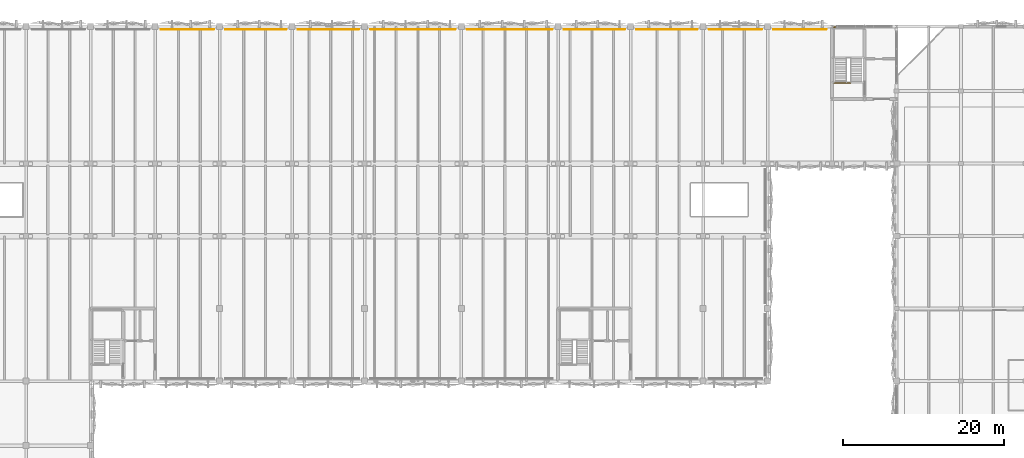
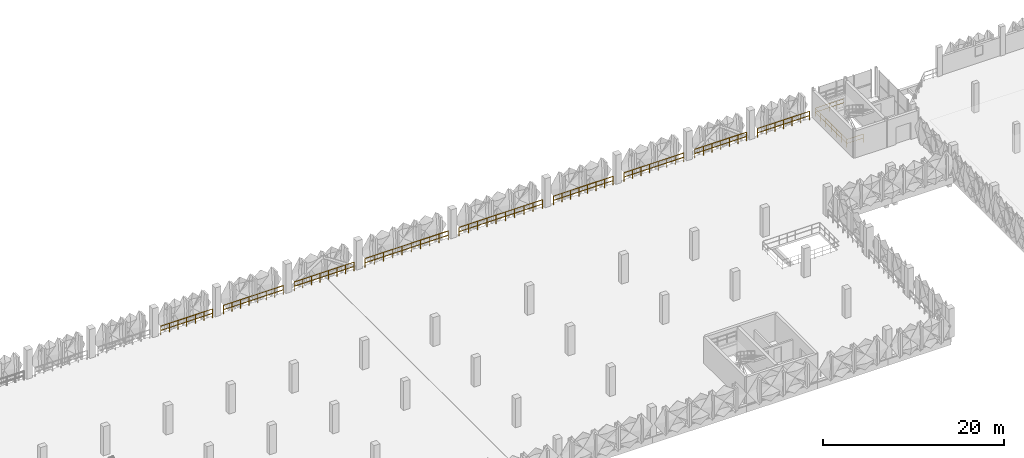
# One storey, part 82 of 83: 10 railings.
"""IFC4 building model written with IfcOpenShell, lengths in metres."""

from ifc_helpers import new_model, si_unit, derived_unit, direction, frame, origin, origin_2d, place, context, subcontext, project, spatial, circle, extrude, material, type_object, element, save


model = new_model("IFC4")

# Units and contexts
model_context = context("Model", 3, precision=1e-05, world=origin(), true_north=direction((0.0, 1.0)))
body_context = subcontext(model_context, "Body", "Model", "MODEL_VIEW")
ifc_project = project(units=[si_unit("LENGTHUNIT", "METRE"), si_unit("AREAUNIT", "SQUARE_METRE"), si_unit("VOLUMEUNIT", "CUBIC_METRE"), si_unit("PLANEANGLEUNIT", "RADIAN"), si_unit("MASSUNIT", "GRAM", prefix="KILO"), si_unit("THERMODYNAMICTEMPERATUREUNIT", "KELVIN"), derived_unit("THERMALTRANSMITTANCEUNIT", [(si_unit("POWERUNIT", "WATT"), 1), (si_unit("AREAUNIT", "SQUARE_METRE"), -1), (si_unit("THERMODYNAMICTEMPERATUREUNIT", "KELVIN"), -1)])], contexts=[model_context])

# Site, building, storey
site_placement = place(None, origin())
site = spatial("IfcSite", under=ifc_project, at=site_placement, CompositionType="ELEMENT")
building_placement = place(site_placement, origin())
building = spatial("IfcBuilding", under=site, at=building_placement, Name="Haiyu Intermodal Mobility Hub", CompositionType="ELEMENT")
storey_placement = place(building_placement, frame((0.0, 0.0, 13.39990234375)))
storey = spatial("IfcBuildingStorey", under=building, at=storey_placement, Name="L03", CompositionType="ELEMENT", Elevation=13.39990234375)

# Railings
ifc_material = material(Name="Steel Q355C", Category="steel")
railing_type_1 = type_object("IfcRailingType", Name="RAL-GR01", PredefinedType="GUARDRAIL", material=ifc_material)
railing_1_placement = place(storey_placement, frame((77.300048828125, 147.659912109375, 0.0)))
element("IfcRailing", 1, at=railing_1_placement, inside=storey, type_object=railing_type_1, Name="RAL-CAR-N-0038", PredefinedType="GUARDRAIL", context=body_context, shape_type="SweptSolid", body=[
    extrude(circle(Radius=0.02392578125, at=origin_2d()), frame((-0.030029296875, 0.0, 1.17578125), z_axis=(-1.0, 0.0, 0.0), x_axis=(0.0, -1.0, 0.0)), (0.0, 0.0, 1.0), 6.5400390625),
    extrude(circle(Radius=0.02392578125, at=origin_2d()), frame((-0.037353515625, 0.0, 0.60009765625), z_axis=(-1.0, 0.0, 0.0), x_axis=(0.0, -1.0, 0.0)), (0.0, 0.0, 1.0), 1.025390625),
    extrude(circle(Radius=0.02392578125, at=origin_2d()), frame((-1.13720703125, 0.0, 0.60009765625), z_axis=(-1.0, 0.0, 0.0), x_axis=(0.0, -1.0, 0.0)), (0.0, 0.0, 1.0), 1.025390625),
    extrude(circle(Radius=0.02392578125, at=origin_2d()), frame((-2.2373046875, 0.0, 0.60009765625), z_axis=(-1.0, 0.0, 0.0), x_axis=(0.0, -1.0, 0.0)), (0.0, 0.0, 1.0), 1.025390625),
    extrude(circle(Radius=0.02392578125, at=origin_2d()), frame((-3.33740234375, 0.0, 0.60009765625), z_axis=(-1.0, 0.0, 0.0), x_axis=(0.0, -1.0, 0.0)), (0.0, 0.0, 1.0), 1.025390625),
    extrude(circle(Radius=0.02392578125, at=origin_2d()), frame((-4.437255859375, 0.0, 0.60009765625), z_axis=(-1.0, 0.0, 0.0), x_axis=(0.0, -1.0, 0.0)), (0.0, 0.0, 1.0), 1.025390625),
    extrude(circle(Radius=0.02392578125, at=origin_2d()), frame((-5.537353515625, 0.0, 0.60009765625), z_axis=(-1.0, 0.0, 0.0), x_axis=(0.0, -1.0, 0.0)), (0.0, 0.0, 1.0), 1.025390625),
    extrude(circle(Radius=0.02099609375, at=origin_2d()), origin(), (0.0, 0.0, 1.0), 1.143798828125),
    extrude(circle(Radius=0.02099609375, at=origin_2d()), frame((-1.10009765625, 0.0, 0.0)), (0.0, 0.0, 1.0), 1.143798828125),
    extrude(circle(Radius=0.02099609375, at=origin_2d()), frame((-2.199951171875, 0.0, 0.0)), (0.0, 0.0, 1.0), 1.143798828125),
    extrude(circle(Radius=0.02099609375, at=origin_2d()), frame((-3.300048828125, 0.0, 0.0)), (0.0, 0.0, 1.0), 1.143798828125),
    extrude(circle(Radius=0.02099609375, at=origin_2d()), frame((-4.400146484375, 0.0, 0.0)), (0.0, 0.0, 1.0), 1.143798828125),
    extrude(circle(Radius=0.02099609375, at=origin_2d()), frame((-5.5, 0.0, 0.0)), (0.0, 0.0, 1.0), 1.143798828125),
    extrude(circle(Radius=0.02099609375, at=origin_2d()), frame((-6.60009765625, 0.0, 0.0)), (0.0, 0.0, 1.0), 1.143798828125),
])
railing_2_placement = place(storey_placement, frame((86.300048828125, 147.659912109375, 0.0)))
element("IfcRailing", 2, at=railing_2_placement, inside=storey, type_object=railing_type_1, Name="RAL-CAR-N-0043", PredefinedType="GUARDRAIL", context=body_context, shape_type="SweptSolid", body=[
    extrude(circle(Radius=0.02392578125, at=origin_2d()), frame((-0.030029296875, 0.0, 1.17578125), z_axis=(-1.0, 0.0, 0.0), x_axis=(0.0, -1.0, 0.0)), (0.0, 0.0, 1.0), 7.5400390625),
    extrude(circle(Radius=0.02392578125, at=origin_2d()), frame((-0.037353515625, 0.0, 0.60009765625), z_axis=(-1.0, 0.0, 0.0), x_axis=(0.0, -1.0, 0.0)), (0.0, 0.0, 1.0), 1.01123046875),
    extrude(circle(Radius=0.02392578125, at=origin_2d()), frame((-1.123046875, 0.0, 0.60009765625), z_axis=(-1.0, 0.0, 0.0), x_axis=(0.0, -1.0, 0.0)), (0.0, 0.0, 1.0), 1.01123046875),
    extrude(circle(Radius=0.02392578125, at=origin_2d()), frame((-2.208740234375, 0.0, 0.60009765625), z_axis=(-1.0, 0.0, 0.0), x_axis=(0.0, -1.0, 0.0)), (0.0, 0.0, 1.0), 1.01123046875),
    extrude(circle(Radius=0.02392578125, at=origin_2d()), frame((-3.29443359375, 0.0, 0.60009765625), z_axis=(-1.0, 0.0, 0.0), x_axis=(0.0, -1.0, 0.0)), (0.0, 0.0, 1.0), 1.01123046875),
    extrude(circle(Radius=0.02392578125, at=origin_2d()), frame((-4.380126953125, 0.0, 0.60009765625), z_axis=(-1.0, 0.0, 0.0), x_axis=(0.0, -1.0, 0.0)), (0.0, 0.0, 1.0), 1.01123046875),
    extrude(circle(Radius=0.02392578125, at=origin_2d()), frame((-5.4658203125, 0.0, 0.60009765625), z_axis=(-1.0, 0.0, 0.0), x_axis=(0.0, -1.0, 0.0)), (0.0, 0.0, 1.0), 1.01123046875),
    extrude(circle(Radius=0.02392578125, at=origin_2d()), frame((-6.5517578125, 0.0, 0.60009765625), z_axis=(-1.0, 0.0, 0.0), x_axis=(0.0, -1.0, 0.0)), (0.0, 0.0, 1.0), 1.01123046875),
    extrude(circle(Radius=0.02099609375, at=origin_2d()), origin(), (0.0, 0.0, 1.0), 1.143798828125),
    extrude(circle(Radius=0.02099609375, at=origin_2d()), frame((-1.085693359375, 0.0, 0.0)), (0.0, 0.0, 1.0), 1.143798828125),
    extrude(circle(Radius=0.02099609375, at=origin_2d()), frame((-2.17138671875, 0.0, 0.0)), (0.0, 0.0, 1.0), 1.143798828125),
    extrude(circle(Radius=0.02099609375, at=origin_2d()), frame((-3.257080078125, 0.0, 0.0)), (0.0, 0.0, 1.0), 1.143798828125),
    extrude(circle(Radius=0.02099609375, at=origin_2d()), frame((-4.343017578125, 0.0, 0.0)), (0.0, 0.0, 1.0), 1.143798828125),
    extrude(circle(Radius=0.02099609375, at=origin_2d()), frame((-5.4287109375, 0.0, 0.0)), (0.0, 0.0, 1.0), 1.143798828125),
    extrude(circle(Radius=0.02099609375, at=origin_2d()), frame((-6.514404296875, 0.0, 0.0)), (0.0, 0.0, 1.0), 1.143798828125),
    extrude(circle(Radius=0.02099609375, at=origin_2d()), frame((-7.60009765625, 0.0, 0.0)), (0.0, 0.0, 1.0), 1.143798828125),
])
railing_3_placement = place(storey_placement, frame((95.300048828125, 147.659912109375, 0.0)))
element("IfcRailing", 3, at=railing_3_placement, inside=storey, type_object=railing_type_1, Name="RAL-CAR-N-0048", PredefinedType="GUARDRAIL", context=body_context, shape_type="SweptSolid", body=[
    extrude(circle(Radius=0.02392578125, at=origin_2d()), frame((-0.030029296875, 0.0, 1.17578125), z_axis=(-1.0, 0.0, 0.0), x_axis=(0.0, -1.0, 0.0)), (0.0, 0.0, 1.0), 7.5400390625),
    extrude(circle(Radius=0.02392578125, at=origin_2d()), frame((-0.037353515625, 0.0, 0.60009765625), z_axis=(-1.0, 0.0, 0.0), x_axis=(0.0, -1.0, 0.0)), (0.0, 0.0, 1.0), 1.01123046875),
    extrude(circle(Radius=0.02392578125, at=origin_2d()), frame((-1.123046875, 0.0, 0.60009765625), z_axis=(-1.0, 0.0, 0.0), x_axis=(0.0, -1.0, 0.0)), (0.0, 0.0, 1.0), 1.01123046875),
    extrude(circle(Radius=0.02392578125, at=origin_2d()), frame((-2.208740234375, 0.0, 0.60009765625), z_axis=(-1.0, 0.0, 0.0), x_axis=(0.0, -1.0, 0.0)), (0.0, 0.0, 1.0), 1.01123046875),
    extrude(circle(Radius=0.02392578125, at=origin_2d()), frame((-3.29443359375, 0.0, 0.60009765625), z_axis=(-1.0, 0.0, 0.0), x_axis=(0.0, -1.0, 0.0)), (0.0, 0.0, 1.0), 1.01123046875),
    extrude(circle(Radius=0.02392578125, at=origin_2d()), frame((-4.380126953125, 0.0, 0.60009765625), z_axis=(-1.0, 0.0, 0.0), x_axis=(0.0, -1.0, 0.0)), (0.0, 0.0, 1.0), 1.01123046875),
    extrude(circle(Radius=0.02392578125, at=origin_2d()), frame((-5.4658203125, 0.0, 0.60009765625), z_axis=(-1.0, 0.0, 0.0), x_axis=(0.0, -1.0, 0.0)), (0.0, 0.0, 1.0), 1.01123046875),
    extrude(circle(Radius=0.02392578125, at=origin_2d()), frame((-6.5517578125, 0.0, 0.60009765625), z_axis=(-1.0, 0.0, 0.0), x_axis=(0.0, -1.0, 0.0)), (0.0, 0.0, 1.0), 1.01123046875),
    extrude(circle(Radius=0.02099609375, at=origin_2d()), origin(), (0.0, 0.0, 1.0), 1.143798828125),
    extrude(circle(Radius=0.02099609375, at=origin_2d()), frame((-1.085693359375, 0.0, 0.0)), (0.0, 0.0, 1.0), 1.143798828125),
    extrude(circle(Radius=0.02099609375, at=origin_2d()), frame((-2.17138671875, 0.0, 0.0)), (0.0, 0.0, 1.0), 1.143798828125),
    extrude(circle(Radius=0.02099609375, at=origin_2d()), frame((-3.257080078125, 0.0, 0.0)), (0.0, 0.0, 1.0), 1.143798828125),
    extrude(circle(Radius=0.02099609375, at=origin_2d()), frame((-4.343017578125, 0.0, 0.0)), (0.0, 0.0, 1.0), 1.143798828125),
    extrude(circle(Radius=0.02099609375, at=origin_2d()), frame((-5.4287109375, 0.0, 0.0)), (0.0, 0.0, 1.0), 1.143798828125),
    extrude(circle(Radius=0.02099609375, at=origin_2d()), frame((-6.514404296875, 0.0, 0.0)), (0.0, 0.0, 1.0), 1.143798828125),
    extrude(circle(Radius=0.02099609375, at=origin_2d()), frame((-7.60009765625, 0.0, 0.0)), (0.0, 0.0, 1.0), 1.143798828125),
])
railing_4_placement = place(storey_placement, frame((107.300048828125, 147.659912109375, 0.0)))
element("IfcRailing", 4, at=railing_4_placement, inside=storey, type_object=railing_type_1, Name="RAL-CAR-N-0053", PredefinedType="GUARDRAIL", context=body_context, shape_type="SweptSolid", body=[
    extrude(circle(Radius=0.02392578125, at=origin_2d()), frame((-0.030029296875, 0.0, 1.17578125), z_axis=(-1.0, 0.0, 0.0), x_axis=(0.0, -1.0, 0.0)), (0.0, 0.0, 1.0), 10.5400390625),
    extrude(circle(Radius=0.02392578125, at=origin_2d()), frame((-0.037353515625, 0.0, 0.60009765625), z_axis=(-1.0, 0.0, 0.0), x_axis=(0.0, -1.0, 0.0)), (0.0, 0.0, 1.0), 1.103271484375),
    extrude(circle(Radius=0.02392578125, at=origin_2d()), frame((-1.215087890625, 0.0, 0.60009765625), z_axis=(-1.0, 0.0, 0.0), x_axis=(0.0, -1.0, 0.0)), (0.0, 0.0, 1.0), 1.103271484375),
    extrude(circle(Radius=0.02392578125, at=origin_2d()), frame((-2.392822265625, 0.0, 0.60009765625), z_axis=(-1.0, 0.0, 0.0), x_axis=(0.0, -1.0, 0.0)), (0.0, 0.0, 1.0), 1.103271484375),
    extrude(circle(Radius=0.02392578125, at=origin_2d()), frame((-3.570556640625, 0.0, 0.60009765625), z_axis=(-1.0, 0.0, 0.0), x_axis=(0.0, -1.0, 0.0)), (0.0, 0.0, 1.0), 1.103271484375),
    extrude(circle(Radius=0.02392578125, at=origin_2d()), frame((-4.74853515625, 0.0, 0.60009765625), z_axis=(-1.0, 0.0, 0.0), x_axis=(0.0, -1.0, 0.0)), (0.0, 0.0, 1.0), 1.103271484375),
    extrude(circle(Radius=0.02392578125, at=origin_2d()), frame((-5.92626953125, 0.0, 0.60009765625), z_axis=(-1.0, 0.0, 0.0), x_axis=(0.0, -1.0, 0.0)), (0.0, 0.0, 1.0), 1.103271484375),
    extrude(circle(Radius=0.02392578125, at=origin_2d()), frame((-7.10400390625, 0.0, 0.60009765625), z_axis=(-1.0, 0.0, 0.0), x_axis=(0.0, -1.0, 0.0)), (0.0, 0.0, 1.0), 1.103271484375),
    extrude(circle(Radius=0.02392578125, at=origin_2d()), frame((-8.28173828125, 0.0, 0.60009765625), z_axis=(-1.0, 0.0, 0.0), x_axis=(0.0, -1.0, 0.0)), (0.0, 0.0, 1.0), 1.103271484375),
    extrude(circle(Radius=0.02392578125, at=origin_2d()), frame((-9.459716796875, 0.0, 0.60009765625), z_axis=(-1.0, 0.0, 0.0), x_axis=(0.0, -1.0, 0.0)), (0.0, 0.0, 1.0), 1.103271484375),
    extrude(circle(Radius=0.02099609375, at=origin_2d()), origin(), (0.0, 0.0, 1.0), 1.143798828125),
    extrude(circle(Radius=0.02099609375, at=origin_2d()), frame((-1.177734375, 0.0, 0.0)), (0.0, 0.0, 1.0), 1.143798828125),
    extrude(circle(Radius=0.02099609375, at=origin_2d()), frame((-2.35546875, 0.0, 0.0)), (0.0, 0.0, 1.0), 1.143798828125),
    extrude(circle(Radius=0.02099609375, at=origin_2d()), frame((-3.533447265625, 0.0, 0.0)), (0.0, 0.0, 1.0), 1.143798828125),
    extrude(circle(Radius=0.02099609375, at=origin_2d()), frame((-4.711181640625, 0.0, 0.0)), (0.0, 0.0, 1.0), 1.143798828125),
    extrude(circle(Radius=0.02099609375, at=origin_2d()), frame((-5.888916015625, 0.0, 0.0)), (0.0, 0.0, 1.0), 1.143798828125),
    extrude(circle(Radius=0.02099609375, at=origin_2d()), frame((-7.066650390625, 0.0, 0.0)), (0.0, 0.0, 1.0), 1.143798828125),
    extrude(circle(Radius=0.02099609375, at=origin_2d()), frame((-8.24462890625, 0.0, 0.0)), (0.0, 0.0, 1.0), 1.143798828125),
    extrude(circle(Radius=0.02099609375, at=origin_2d()), frame((-9.42236328125, 0.0, 0.0)), (0.0, 0.0, 1.0), 1.143798828125),
    extrude(circle(Radius=0.02099609375, at=origin_2d()), frame((-10.60009765625, 0.0, 0.0)), (0.0, 0.0, 1.0), 1.143798828125),
])
railing_5_placement = place(storey_placement, frame((119.300048828125, 147.659912109375, 0.0)))
element("IfcRailing", 5, at=railing_5_placement, inside=storey, type_object=railing_type_1, Name="RAL-CAR-N-0058", PredefinedType="GUARDRAIL", context=body_context, shape_type="SweptSolid", body=[
    extrude(circle(Radius=0.02392578125, at=origin_2d()), frame((-0.030029296875, 0.0, 1.17578125), z_axis=(-1.0, 0.0, 0.0), x_axis=(0.0, -1.0, 0.0)), (0.0, 0.0, 1.0), 10.5400390625),
    extrude(circle(Radius=0.02392578125, at=origin_2d()), frame((-0.037353515625, 0.0, 0.60009765625), z_axis=(-1.0, 0.0, 0.0), x_axis=(0.0, -1.0, 0.0)), (0.0, 0.0, 1.0), 1.103271484375),
    extrude(circle(Radius=0.02392578125, at=origin_2d()), frame((-1.215087890625, 0.0, 0.60009765625), z_axis=(-1.0, 0.0, 0.0), x_axis=(0.0, -1.0, 0.0)), (0.0, 0.0, 1.0), 1.103271484375),
    extrude(circle(Radius=0.02392578125, at=origin_2d()), frame((-2.392822265625, 0.0, 0.60009765625), z_axis=(-1.0, 0.0, 0.0), x_axis=(0.0, -1.0, 0.0)), (0.0, 0.0, 1.0), 1.103271484375),
    extrude(circle(Radius=0.02392578125, at=origin_2d()), frame((-3.570556640625, 0.0, 0.60009765625), z_axis=(-1.0, 0.0, 0.0), x_axis=(0.0, -1.0, 0.0)), (0.0, 0.0, 1.0), 1.103271484375),
    extrude(circle(Radius=0.02392578125, at=origin_2d()), frame((-4.74853515625, 0.0, 0.60009765625), z_axis=(-1.0, 0.0, 0.0), x_axis=(0.0, -1.0, 0.0)), (0.0, 0.0, 1.0), 1.103271484375),
    extrude(circle(Radius=0.02392578125, at=origin_2d()), frame((-5.92626953125, 0.0, 0.60009765625), z_axis=(-1.0, 0.0, 0.0), x_axis=(0.0, -1.0, 0.0)), (0.0, 0.0, 1.0), 1.103271484375),
    extrude(circle(Radius=0.02392578125, at=origin_2d()), frame((-7.10400390625, 0.0, 0.60009765625), z_axis=(-1.0, 0.0, 0.0), x_axis=(0.0, -1.0, 0.0)), (0.0, 0.0, 1.0), 1.103271484375),
    extrude(circle(Radius=0.02392578125, at=origin_2d()), frame((-8.28173828125, 0.0, 0.60009765625), z_axis=(-1.0, 0.0, 0.0), x_axis=(0.0, -1.0, 0.0)), (0.0, 0.0, 1.0), 1.103271484375),
    extrude(circle(Radius=0.02392578125, at=origin_2d()), frame((-9.459716796875, 0.0, 0.60009765625), z_axis=(-1.0, 0.0, 0.0), x_axis=(0.0, -1.0, 0.0)), (0.0, 0.0, 1.0), 1.103271484375),
    extrude(circle(Radius=0.02099609375, at=origin_2d()), origin(), (0.0, 0.0, 1.0), 1.143798828125),
    extrude(circle(Radius=0.02099609375, at=origin_2d()), frame((-1.177734375, 0.0, 0.0)), (0.0, 0.0, 1.0), 1.143798828125),
    extrude(circle(Radius=0.02099609375, at=origin_2d()), frame((-2.35546875, 0.0, 0.0)), (0.0, 0.0, 1.0), 1.143798828125),
    extrude(circle(Radius=0.02099609375, at=origin_2d()), frame((-3.533447265625, 0.0, 0.0)), (0.0, 0.0, 1.0), 1.143798828125),
    extrude(circle(Radius=0.02099609375, at=origin_2d()), frame((-4.711181640625, 0.0, 0.0)), (0.0, 0.0, 1.0), 1.143798828125),
    extrude(circle(Radius=0.02099609375, at=origin_2d()), frame((-5.888916015625, 0.0, 0.0)), (0.0, 0.0, 1.0), 1.143798828125),
    extrude(circle(Radius=0.02099609375, at=origin_2d()), frame((-7.066650390625, 0.0, 0.0)), (0.0, 0.0, 1.0), 1.143798828125),
    extrude(circle(Radius=0.02099609375, at=origin_2d()), frame((-8.24462890625, 0.0, 0.0)), (0.0, 0.0, 1.0), 1.143798828125),
    extrude(circle(Radius=0.02099609375, at=origin_2d()), frame((-9.42236328125, 0.0, 0.0)), (0.0, 0.0, 1.0), 1.143798828125),
    extrude(circle(Radius=0.02099609375, at=origin_2d()), frame((-10.60009765625, 0.0, 0.0)), (0.0, 0.0, 1.0), 1.143798828125),
])
railing_6_placement = place(storey_placement, frame((128.300048828125, 147.659912109375, 0.0)))
element("IfcRailing", 6, at=railing_6_placement, inside=storey, type_object=railing_type_1, Name="RAL-CAR-N-0063", PredefinedType="GUARDRAIL", context=body_context, shape_type="SweptSolid", body=[
    extrude(circle(Radius=0.02392578125, at=origin_2d()), frame((-0.030029296875, 0.0, 1.17578125), z_axis=(-1.0, 0.0, 0.0), x_axis=(0.0, -1.0, 0.0)), (0.0, 0.0, 1.0), 7.5400390625),
    extrude(circle(Radius=0.02392578125, at=origin_2d()), frame((-0.037353515625, 0.0, 0.60009765625), z_axis=(-1.0, 0.0, 0.0), x_axis=(0.0, -1.0, 0.0)), (0.0, 0.0, 1.0), 1.01123046875),
    extrude(circle(Radius=0.02392578125, at=origin_2d()), frame((-1.123046875, 0.0, 0.60009765625), z_axis=(-1.0, 0.0, 0.0), x_axis=(0.0, -1.0, 0.0)), (0.0, 0.0, 1.0), 1.01123046875),
    extrude(circle(Radius=0.02392578125, at=origin_2d()), frame((-2.208740234375, 0.0, 0.60009765625), z_axis=(-1.0, 0.0, 0.0), x_axis=(0.0, -1.0, 0.0)), (0.0, 0.0, 1.0), 1.01123046875),
    extrude(circle(Radius=0.02392578125, at=origin_2d()), frame((-3.29443359375, 0.0, 0.60009765625), z_axis=(-1.0, 0.0, 0.0), x_axis=(0.0, -1.0, 0.0)), (0.0, 0.0, 1.0), 1.01123046875),
    extrude(circle(Radius=0.02392578125, at=origin_2d()), frame((-4.380126953125, 0.0, 0.60009765625), z_axis=(-1.0, 0.0, 0.0), x_axis=(0.0, -1.0, 0.0)), (0.0, 0.0, 1.0), 1.01123046875),
    extrude(circle(Radius=0.02392578125, at=origin_2d()), frame((-5.4658203125, 0.0, 0.60009765625), z_axis=(-1.0, 0.0, 0.0), x_axis=(0.0, -1.0, 0.0)), (0.0, 0.0, 1.0), 1.01123046875),
    extrude(circle(Radius=0.02392578125, at=origin_2d()), frame((-6.5517578125, 0.0, 0.60009765625), z_axis=(-1.0, 0.0, 0.0), x_axis=(0.0, -1.0, 0.0)), (0.0, 0.0, 1.0), 1.01123046875),
    extrude(circle(Radius=0.02099609375, at=origin_2d()), origin(), (0.0, 0.0, 1.0), 1.143798828125),
    extrude(circle(Radius=0.02099609375, at=origin_2d()), frame((-1.085693359375, 0.0, 0.0)), (0.0, 0.0, 1.0), 1.143798828125),
    extrude(circle(Radius=0.02099609375, at=origin_2d()), frame((-2.17138671875, 0.0, 0.0)), (0.0, 0.0, 1.0), 1.143798828125),
    extrude(circle(Radius=0.02099609375, at=origin_2d()), frame((-3.257080078125, 0.0, 0.0)), (0.0, 0.0, 1.0), 1.143798828125),
    extrude(circle(Radius=0.02099609375, at=origin_2d()), frame((-4.343017578125, 0.0, 0.0)), (0.0, 0.0, 1.0), 1.143798828125),
    extrude(circle(Radius=0.02099609375, at=origin_2d()), frame((-5.4287109375, 0.0, 0.0)), (0.0, 0.0, 1.0), 1.143798828125),
    extrude(circle(Radius=0.02099609375, at=origin_2d()), frame((-6.514404296875, 0.0, 0.0)), (0.0, 0.0, 1.0), 1.143798828125),
    extrude(circle(Radius=0.02099609375, at=origin_2d()), frame((-7.60009765625, 0.0, 0.0)), (0.0, 0.0, 1.0), 1.143798828125),
])
railing_7_placement = place(storey_placement, frame((137.300048828125, 147.659912109375, 0.0)))
element("IfcRailing", 7, at=railing_7_placement, inside=storey, type_object=railing_type_1, Name="RAL-CAR-N-0069", PredefinedType="GUARDRAIL", context=body_context, shape_type="SweptSolid", body=[
    extrude(circle(Radius=0.02392578125, at=origin_2d()), frame((-0.030029296875, 0.0, 1.17578125), z_axis=(-1.0, 0.0, 0.0), x_axis=(0.0, -1.0, 0.0)), (0.0, 0.0, 1.0), 7.5400390625),
    extrude(circle(Radius=0.02392578125, at=origin_2d()), frame((-0.037353515625, 0.0, 0.60009765625), z_axis=(-1.0, 0.0, 0.0), x_axis=(0.0, -1.0, 0.0)), (0.0, 0.0, 1.0), 1.01123046875),
    extrude(circle(Radius=0.02392578125, at=origin_2d()), frame((-1.123046875, 0.0, 0.60009765625), z_axis=(-1.0, 0.0, 0.0), x_axis=(0.0, -1.0, 0.0)), (0.0, 0.0, 1.0), 1.01123046875),
    extrude(circle(Radius=0.02392578125, at=origin_2d()), frame((-2.208740234375, 0.0, 0.60009765625), z_axis=(-1.0, 0.0, 0.0), x_axis=(0.0, -1.0, 0.0)), (0.0, 0.0, 1.0), 1.01123046875),
    extrude(circle(Radius=0.02392578125, at=origin_2d()), frame((-3.29443359375, 0.0, 0.60009765625), z_axis=(-1.0, 0.0, 0.0), x_axis=(0.0, -1.0, 0.0)), (0.0, 0.0, 1.0), 1.01123046875),
    extrude(circle(Radius=0.02392578125, at=origin_2d()), frame((-4.380126953125, 0.0, 0.60009765625), z_axis=(-1.0, 0.0, 0.0), x_axis=(0.0, -1.0, 0.0)), (0.0, 0.0, 1.0), 1.01123046875),
    extrude(circle(Radius=0.02392578125, at=origin_2d()), frame((-5.4658203125, 0.0, 0.60009765625), z_axis=(-1.0, 0.0, 0.0), x_axis=(0.0, -1.0, 0.0)), (0.0, 0.0, 1.0), 1.01123046875),
    extrude(circle(Radius=0.02392578125, at=origin_2d()), frame((-6.5517578125, 0.0, 0.60009765625), z_axis=(-1.0, 0.0, 0.0), x_axis=(0.0, -1.0, 0.0)), (0.0, 0.0, 1.0), 1.01123046875),
    extrude(circle(Radius=0.02099609375, at=origin_2d()), origin(), (0.0, 0.0, 1.0), 1.143798828125),
    extrude(circle(Radius=0.02099609375, at=origin_2d()), frame((-1.085693359375, 0.0, 0.0)), (0.0, 0.0, 1.0), 1.143798828125),
    extrude(circle(Radius=0.02099609375, at=origin_2d()), frame((-2.17138671875, 0.0, 0.0)), (0.0, 0.0, 1.0), 1.143798828125),
    extrude(circle(Radius=0.02099609375, at=origin_2d()), frame((-3.257080078125, 0.0, 0.0)), (0.0, 0.0, 1.0), 1.143798828125),
    extrude(circle(Radius=0.02099609375, at=origin_2d()), frame((-4.343017578125, 0.0, 0.0)), (0.0, 0.0, 1.0), 1.143798828125),
    extrude(circle(Radius=0.02099609375, at=origin_2d()), frame((-5.4287109375, 0.0, 0.0)), (0.0, 0.0, 1.0), 1.143798828125),
    extrude(circle(Radius=0.02099609375, at=origin_2d()), frame((-6.514404296875, 0.0, 0.0)), (0.0, 0.0, 1.0), 1.143798828125),
    extrude(circle(Radius=0.02099609375, at=origin_2d()), frame((-7.60009765625, 0.0, 0.0)), (0.0, 0.0, 1.0), 1.143798828125),
])
railing_8_placement = place(storey_placement, frame((145.300048828125, 147.659912109375, 0.0)))
element("IfcRailing", 8, at=railing_8_placement, inside=storey, type_object=railing_type_1, Name="RAL-CAR-N-0074", PredefinedType="GUARDRAIL", context=body_context, shape_type="SweptSolid", body=[
    extrude(circle(Radius=0.02392578125, at=origin_2d()), frame((-0.030029296875, 0.0, 1.17578125), z_axis=(-1.0, 0.0, 0.0), x_axis=(0.0, -1.0, 0.0)), (0.0, 0.0, 1.0), 6.5400390625),
    extrude(circle(Radius=0.02392578125, at=origin_2d()), frame((-0.037353515625, 0.0, 0.60009765625), z_axis=(-1.0, 0.0, 0.0), x_axis=(0.0, -1.0, 0.0)), (0.0, 0.0, 1.0), 1.025390625),
    extrude(circle(Radius=0.02392578125, at=origin_2d()), frame((-1.13720703125, 0.0, 0.60009765625), z_axis=(-1.0, 0.0, 0.0), x_axis=(0.0, -1.0, 0.0)), (0.0, 0.0, 1.0), 1.025390625),
    extrude(circle(Radius=0.02392578125, at=origin_2d()), frame((-2.2373046875, 0.0, 0.60009765625), z_axis=(-1.0, 0.0, 0.0), x_axis=(0.0, -1.0, 0.0)), (0.0, 0.0, 1.0), 1.025390625),
    extrude(circle(Radius=0.02392578125, at=origin_2d()), frame((-3.33740234375, 0.0, 0.60009765625), z_axis=(-1.0, 0.0, 0.0), x_axis=(0.0, -1.0, 0.0)), (0.0, 0.0, 1.0), 1.025390625),
    extrude(circle(Radius=0.02392578125, at=origin_2d()), frame((-4.437255859375, 0.0, 0.60009765625), z_axis=(-1.0, 0.0, 0.0), x_axis=(0.0, -1.0, 0.0)), (0.0, 0.0, 1.0), 1.025390625),
    extrude(circle(Radius=0.02392578125, at=origin_2d()), frame((-5.537353515625, 0.0, 0.60009765625), z_axis=(-1.0, 0.0, 0.0), x_axis=(0.0, -1.0, 0.0)), (0.0, 0.0, 1.0), 1.025390625),
    extrude(circle(Radius=0.02099609375, at=origin_2d()), origin(), (0.0, 0.0, 1.0), 1.143798828125),
    extrude(circle(Radius=0.02099609375, at=origin_2d()), frame((-1.10009765625, 0.0, 0.0)), (0.0, 0.0, 1.0), 1.143798828125),
    extrude(circle(Radius=0.02099609375, at=origin_2d()), frame((-2.199951171875, 0.0, 0.0)), (0.0, 0.0, 1.0), 1.143798828125),
    extrude(circle(Radius=0.02099609375, at=origin_2d()), frame((-3.300048828125, 0.0, 0.0)), (0.0, 0.0, 1.0), 1.143798828125),
    extrude(circle(Radius=0.02099609375, at=origin_2d()), frame((-4.400146484375, 0.0, 0.0)), (0.0, 0.0, 1.0), 1.143798828125),
    extrude(circle(Radius=0.02099609375, at=origin_2d()), frame((-5.5, 0.0, 0.0)), (0.0, 0.0, 1.0), 1.143798828125),
    extrude(circle(Radius=0.02099609375, at=origin_2d()), frame((-6.60009765625, 0.0, 0.0)), (0.0, 0.0, 1.0), 1.143798828125),
])
railing_9_placement = place(storey_placement, frame((153.300048828125, 147.659912109375, 0.0)))
element("IfcRailing", 9, at=railing_9_placement, inside=storey, type_object=railing_type_1, Name="RAL-CAR-N-0079", PredefinedType="GUARDRAIL", context=body_context, shape_type="SweptSolid", body=[
    extrude(circle(Radius=0.02392578125, at=origin_2d()), frame((-0.030029296875, 0.0, 1.17578125), z_axis=(-1.0, 0.0, 0.0), x_axis=(0.0, -1.0, 0.0)), (0.0, 0.0, 1.0), 6.5400390625),
    extrude(circle(Radius=0.02392578125, at=origin_2d()), frame((-0.037353515625, 0.0, 0.60009765625), z_axis=(-1.0, 0.0, 0.0), x_axis=(0.0, -1.0, 0.0)), (0.0, 0.0, 1.0), 1.025390625),
    extrude(circle(Radius=0.02392578125, at=origin_2d()), frame((-1.13720703125, 0.0, 0.60009765625), z_axis=(-1.0, 0.0, 0.0), x_axis=(0.0, -1.0, 0.0)), (0.0, 0.0, 1.0), 1.025390625),
    extrude(circle(Radius=0.02392578125, at=origin_2d()), frame((-2.2373046875, 0.0, 0.60009765625), z_axis=(-1.0, 0.0, 0.0), x_axis=(0.0, -1.0, 0.0)), (0.0, 0.0, 1.0), 1.025390625),
    extrude(circle(Radius=0.02392578125, at=origin_2d()), frame((-3.33740234375, 0.0, 0.60009765625), z_axis=(-1.0, 0.0, 0.0), x_axis=(0.0, -1.0, 0.0)), (0.0, 0.0, 1.0), 1.025390625),
    extrude(circle(Radius=0.02392578125, at=origin_2d()), frame((-4.437255859375, 0.0, 0.60009765625), z_axis=(-1.0, 0.0, 0.0), x_axis=(0.0, -1.0, 0.0)), (0.0, 0.0, 1.0), 1.025390625),
    extrude(circle(Radius=0.02392578125, at=origin_2d()), frame((-5.537353515625, 0.0, 0.60009765625), z_axis=(-1.0, 0.0, 0.0), x_axis=(0.0, -1.0, 0.0)), (0.0, 0.0, 1.0), 1.025390625),
    extrude(circle(Radius=0.02099609375, at=origin_2d()), origin(), (0.0, 0.0, 1.0), 1.143798828125),
    extrude(circle(Radius=0.02099609375, at=origin_2d()), frame((-1.10009765625, 0.0, 0.0)), (0.0, 0.0, 1.0), 1.143798828125),
    extrude(circle(Radius=0.02099609375, at=origin_2d()), frame((-2.199951171875, 0.0, 0.0)), (0.0, 0.0, 1.0), 1.143798828125),
    extrude(circle(Radius=0.02099609375, at=origin_2d()), frame((-3.300048828125, 0.0, 0.0)), (0.0, 0.0, 1.0), 1.143798828125),
    extrude(circle(Radius=0.02099609375, at=origin_2d()), frame((-4.400146484375, 0.0, 0.0)), (0.0, 0.0, 1.0), 1.143798828125),
    extrude(circle(Radius=0.02099609375, at=origin_2d()), frame((-5.5, 0.0, 0.0)), (0.0, 0.0, 1.0), 1.143798828125),
    extrude(circle(Radius=0.02099609375, at=origin_2d()), frame((-6.60009765625, 0.0, 0.0)), (0.0, 0.0, 1.0), 1.143798828125),
])
railing_type_2 = type_object("IfcRailingType", Name="RAL-GR03", PredefinedType="GUARDRAIL", material=ifc_material)
railing_10_placement = place(storey_placement, frame((156.31005859375, 141.010009765625, 0.0)))
element("IfcRailing", 10, at=railing_10_placement, inside=storey, type_object=railing_type_2, Name="Stair Shaft Floor Guard STR-C4-L02", PredefinedType="GUARDRAIL", context=body_context, shape_type="SweptSolid", body=[
    extrude(circle(Radius=0.02392578125, at=origin_2d()), frame((-0.030029296875, 0.0, 1.09619140625), z_axis=(-1.0, 0.0, 0.0), x_axis=(0.0, -1.0, 0.0)), (0.0, 0.0, 1.0), 2.030029296875),
    extrude(circle(Radius=0.02392578125, at=origin_2d()), frame((-0.037353515625, 0.0, 0.56005859375), z_axis=(-1.0, 0.0, 0.0), x_axis=(0.0, -1.0, 0.0)), (0.0, 0.0, 1.0), 0.970458984375),
    extrude(circle(Radius=0.02392578125, at=origin_2d()), frame((-1.082275390625, 0.0, 0.56005859375), z_axis=(-1.0, 0.0, 0.0), x_axis=(0.0, -1.0, 0.0)), (0.0, 0.0, 1.0), 0.970458984375),
    extrude(circle(Radius=0.02392578125, at=origin_2d()), frame((-2.090087890625, 0.030029296875, 1.09619140625), z_axis=(0.0, 1.0, 0.0), x_axis=(-1.0, 0.0, 0.0)), (0.0, 0.0, 1.0), 6.8798828125),
    extrude(circle(Radius=0.02392578125, at=origin_2d()), frame((-2.090087890625, 0.037353515625, 0.56005859375), z_axis=(0.0, 1.0, 0.0), x_axis=(-1.0, 0.0, 0.0)), (0.0, 0.0, 1.0), 1.08203125),
    extrude(circle(Radius=0.02392578125, at=origin_2d()), frame((-2.090087890625, 1.19384765625, 0.56005859375), z_axis=(0.0, 1.0, 0.0), x_axis=(-1.0, 0.0, 0.0)), (0.0, 0.0, 1.0), 1.08203125),
    extrude(circle(Radius=0.02392578125, at=origin_2d()), frame((-2.090087890625, 2.3505859375, 0.56005859375), z_axis=(0.0, 1.0, 0.0), x_axis=(-1.0, 0.0, 0.0)), (0.0, 0.0, 1.0), 1.08203125),
    extrude(circle(Radius=0.02392578125, at=origin_2d()), frame((-2.090087890625, 3.50732421875, 0.56005859375), z_axis=(0.0, 1.0, 0.0), x_axis=(-1.0, 0.0, 0.0)), (0.0, 0.0, 1.0), 1.08203125),
    extrude(circle(Radius=0.02392578125, at=origin_2d()), frame((-2.090087890625, 4.663818359375, 0.56005859375), z_axis=(0.0, 1.0, 0.0), x_axis=(-1.0, 0.0, 0.0)), (0.0, 0.0, 1.0), 1.08203125),
    extrude(circle(Radius=0.02392578125, at=origin_2d()), frame((-2.090087890625, 5.820556640625, 0.56005859375), z_axis=(0.0, 1.0, 0.0), x_axis=(-1.0, 0.0, 0.0)), (0.0, 0.0, 1.0), 1.08203125),
    extrude(circle(Radius=0.02392578125, at=origin_2d()), frame((-2.06005859375, 6.93994140625, 1.09619140625), z_axis=(1.0, 0.0, 0.0), x_axis=(0.0, 1.0, 0.0)), (0.0, 0.0, 1.0), 3.590087890625),
    extrude(circle(Radius=0.02392578125, at=origin_2d()), frame((-2.052734375, 6.93994140625, 0.56005859375), z_axis=(1.0, 0.0, 0.0), x_axis=(0.0, 1.0, 0.0)), (0.0, 0.0, 1.0), 0.837890625),
    extrude(circle(Radius=0.02392578125, at=origin_2d()), frame((-1.14013671875, 6.93994140625, 0.56005859375), z_axis=(1.0, 0.0, 0.0), x_axis=(0.0, 1.0, 0.0)), (0.0, 0.0, 1.0), 0.837890625),
    extrude(circle(Radius=0.02392578125, at=origin_2d()), frame((-0.227783203125, 6.93994140625, 0.56005859375), z_axis=(1.0, 0.0, 0.0), x_axis=(0.0, 1.0, 0.0)), (0.0, 0.0, 1.0), 0.837890625),
    extrude(circle(Radius=0.02392578125, at=origin_2d()), frame((0.684814453125, 6.93994140625, 0.56005859375), z_axis=(1.0, 0.0, 0.0), x_axis=(0.0, 1.0, 0.0)), (0.0, 0.0, 1.0), 0.837890625),
    extrude(circle(Radius=0.02099609375, at=origin_2d()), origin(), (0.0, 0.0, 1.0), 1.06396484375),
    extrude(circle(Radius=0.02099609375, at=origin_2d()), frame((-1.044921875, 0.0, 0.0)), (0.0, 0.0, 1.0), 1.06396484375),
    extrude(circle(Radius=0.02099609375, at=origin_2d()), frame((-2.090087890625, 0.0, 0.0)), (0.0, 0.0, 1.0), 1.06396484375),
    extrude(circle(Radius=0.02099609375, at=origin_2d()), frame((-2.090087890625, 1.15673828125, 0.0)), (0.0, 0.0, 1.0), 1.06396484375),
    extrude(circle(Radius=0.02099609375, at=origin_2d()), frame((-2.090087890625, 2.313232421875, 0.0)), (0.0, 0.0, 1.0), 1.06396484375),
    extrude(circle(Radius=0.02099609375, at=origin_2d()), frame((-2.090087890625, 3.469970703125, 0.0)), (0.0, 0.0, 1.0), 1.06396484375),
    extrude(circle(Radius=0.02099609375, at=origin_2d()), frame((-2.090087890625, 4.626708984375, 0.0)), (0.0, 0.0, 1.0), 1.06396484375),
    extrude(circle(Radius=0.02099609375, at=origin_2d()), frame((-2.090087890625, 5.783203125, 0.0)), (0.0, 0.0, 1.0), 1.06396484375),
    extrude(circle(Radius=0.02099609375, at=origin_2d()), frame((-2.090087890625, 6.93994140625, 0.0)), (0.0, 0.0, 1.0), 1.06396484375),
    extrude(circle(Radius=0.02099609375, at=origin_2d()), frame((-1.177490234375, 6.93994140625, 0.0)), (0.0, 0.0, 1.0), 1.06396484375),
    extrude(circle(Radius=0.02099609375, at=origin_2d()), frame((-0.26513671875, 6.93994140625, 0.0)), (0.0, 0.0, 1.0), 1.06396484375),
    extrude(circle(Radius=0.02099609375, at=origin_2d()), frame((0.6474609375, 6.93994140625, 0.0)), (0.0, 0.0, 1.0), 1.06396484375),
    extrude(circle(Radius=0.02099609375, at=origin_2d()), frame((1.56005859375, 6.93994140625, 0.0)), (0.0, 0.0, 1.0), 1.06396484375),
])

save(model, "model.ifc")
